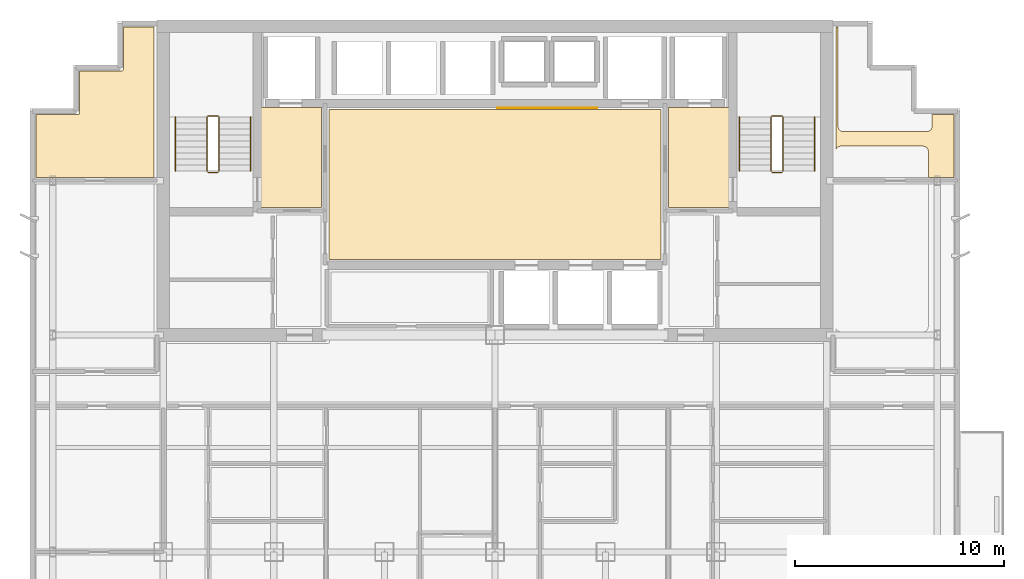
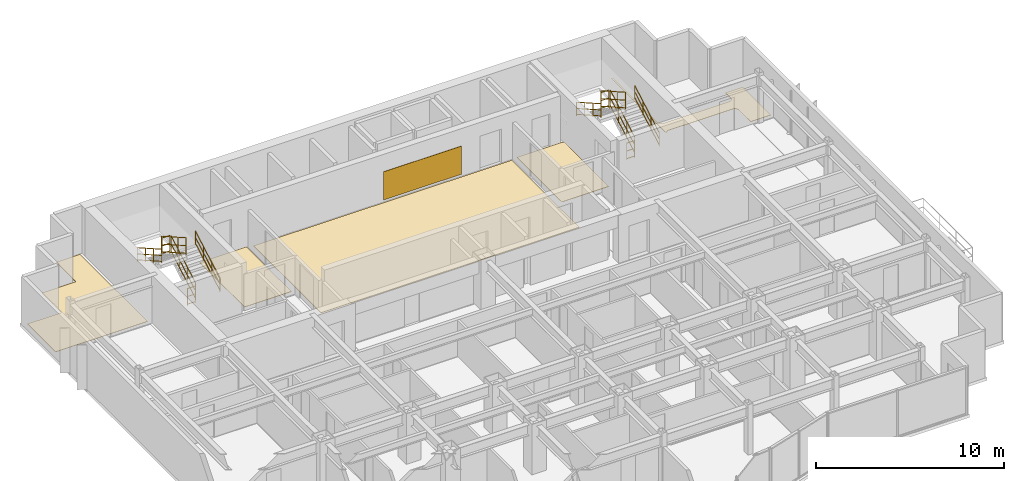
# One storey, part 11 of 11: 12 railings, 6 coverings.
"""IFC4 building model written with IfcOpenShell, lengths in metres."""

from ifc_helpers import new_model, si_unit, direction, frame, origin, origin_2d, place, context, subcontext, project, spatial, polyline, circle, outline, extrude, material, layer, layer_set, type_object, element, save


model = new_model("IFC4")

# Units and contexts
model_context = context("Model", 3, precision=1e-05, world=origin(), true_north=direction((0.0, 1.0)))
body_context = subcontext(model_context, "Body", "Model", "MODEL_VIEW")
ifc_project = project(units=[si_unit("LENGTHUNIT", "METRE"), si_unit("AREAUNIT", "SQUARE_METRE"), si_unit("VOLUMEUNIT", "CUBIC_METRE"), si_unit("PLANEANGLEUNIT", "RADIAN"), si_unit("MASSUNIT", "GRAM", prefix="KILO")], contexts=[model_context])

# Site, building, storey
site_placement = place(None, origin())
site = spatial("IfcSite", under=ifc_project, at=site_placement, CompositionType="ELEMENT")
building_placement = place(site_placement, origin())
building = spatial("IfcBuilding", under=site, at=building_placement, Name="Qianlan Lanfeng Residences", CompositionType="ELEMENT")
storey_placement = place(building_placement, frame((0.0, 0.0, 149.10009765625)))
storey = spatial("IfcBuildingStorey", under=building, at=storey_placement, Name="L40", CompositionType="ELEMENT", Elevation=149.10009765625)

# Coverings
ifc_material_1 = material(Name="Anodised Bronze Feature Wall Cladding")
ifc_layer_1 = layer(ifc_material_1, 0.02490234375)
ifc_layer_set_1 = layer_set([ifc_layer_1], Name="Anodised Bronze Feature Wall Cladding")
covering_type_1 = type_object("IfcCoveringType", Name="CLD-BRZ-25", PredefinedType="CLADDING", material=ifc_layer_set_1)
covering_1_placement = place(storey_placement, frame((0.0, 0.0, 0.14990234375)))
element("IfcCovering", 1, at=covering_1_placement, inside=storey, type_object=covering_type_1, Name="L40 Lift Lobby Bronze Feature Cladding", PredefinedType="CLADDING", context=body_context, shape_type="SweptSolid", body=[
    extrude(outline(polyline([(26.60009765625, 36.074951171875), (31.39990234375, 36.074951171875), (31.39990234375, 36.10009765625), (26.60009765625, 36.10009765625), (26.60009765625, 36.074951171875)])), origin(), (0.0, 0.0, 1.0), 1.830078125),
])
ifc_material_2 = material(Name="Honed Taitung Granite Stone Flooring", Category="masonry")
ifc_layer_2 = layer(ifc_material_2, 0.030029296875)
ifc_layer_set_2 = layer_set([ifc_layer_2], Name="Honed Taitung Granite Stone Flooring")
covering_type_2 = type_object("IfcCoveringType", Name="FLR-STN-30", PredefinedType="FLOORING", material=ifc_layer_set_2)
covering_2_placement = place(storey_placement, origin())
element("IfcCovering", 2, at=covering_2_placement, inside=storey, type_object=covering_type_2, Name="L40 Firefighting Lift Lobby Floor Finish", PredefinedType="FLOORING", context=body_context, shape_type="SweptSolid", body=[
    extrude(outline(polyline([(15.2900390625, 31.320068359375), (18.179931640625, 31.320068359375), (18.179931640625, 36.110107421875), (15.2900390625, 36.110107421875), (15.2900390625, 31.320068359375)])), origin(), (0.0, 0.0, 1.0), 0.02978515625),
])
covering_3_placement = place(storey_placement, origin())
element("IfcCovering", 3, at=covering_3_placement, inside=storey, type_object=covering_type_2, Name="L40 Firefighting Lift Lobby Floor Finish", PredefinedType="FLOORING", context=body_context, shape_type="SweptSolid", body=[
    extrude(outline(polyline([(34.820068359375, 31.320068359375), (37.7099609375, 31.320068359375), (37.7099609375, 36.110107421875), (34.820068359375, 36.110107421875), (34.820068359375, 31.320068359375)])), origin(), (0.0, 0.0, 1.0), 0.02978515625),
])
covering_4_placement = place(storey_placement, origin())
element("IfcCovering", 4, at=covering_4_placement, inside=storey, type_object=covering_type_2, Name="L40 Lift Lobby Floor Finish", PredefinedType="FLOORING", context=body_context, shape_type="SweptSolid", body=[
    extrude(outline(polyline([(18.550048828125, 28.820068359375), (34.449951171875, 28.820068359375), (34.449951171875, 36.010009765625), (18.550048828125, 36.010009765625), (18.550048828125, 28.820068359375)])), origin(), (0.0, 0.0, 1.0), 0.02978515625),
])
ifc_material_3 = material(Name="Engineered Smoked Oak Timber Flooring", Category="wood")
ifc_layer_3 = layer(ifc_material_3, 0.02197265625)
ifc_layer_set_3 = layer_set([ifc_layer_3], Name="Engineered Smoked Oak Timber Flooring")
covering_type_3 = type_object("IfcCoveringType", Name="FLR-TIM-22", PredefinedType="FLOORING", material=ifc_layer_set_3)
covering_5_placement = place(storey_placement, origin())
element("IfcCovering", 5, at=covering_5_placement, inside=storey, type_object=covering_type_3, Name="L40 Resident Lounge Floor Finish", PredefinedType="FLOORING", context=body_context, shape_type="SweptSolid", body=[
    extrude(outline(polyline([(4.489990234375, 32.75), (10.14990234375, 32.75), (10.14990234375, 39.9599609375), (8.68994140625, 39.9599609375), (8.68994140625, 37.929931640625), (8.68994140625, 37.923095703125), (8.68896484375, 37.916015625), (8.68701171875, 37.909912109375), (8.68505859375, 37.903076171875), (8.681884765625, 37.89697265625), (8.677978515625, 37.89111328125), (8.674072265625, 37.885986328125), (8.6689453125, 37.881103515625), (8.6640625, 37.8759765625), (8.658935546875, 37.8720703125), (8.653076171875, 37.867919921875), (8.64697265625, 37.864990234375), (8.639892578125, 37.863037109375), (8.634033203125, 37.861083984375), (8.626953125, 37.860107421875), (8.6201171875, 37.860107421875), (6.590087890625, 37.860107421875), (6.590087890625, 35.830078125), (6.590087890625, 35.822998046875), (6.589111328125, 35.81591796875), (6.5869140625, 35.81005859375), (6.5849609375, 35.802978515625), (6.58203125, 35.797119140625), (6.577880859375, 35.791015625), (6.573974609375, 35.785888671875), (6.569091796875, 35.781005859375), (6.56396484375, 35.77587890625), (6.55908203125, 35.77197265625), (6.552978515625, 35.76806640625), (6.547119140625, 35.764892578125), (6.5400390625, 35.762939453125), (6.533935546875, 35.760986328125), (6.527099609375, 35.760009765625), (6.52001953125, 35.760009765625), (4.489990234375, 35.760009765625), (4.489990234375, 32.75)])), origin(), (0.0, 0.0, 1.0), 0.02197265625),
])
covering_6_placement = place(storey_placement, origin())
element("IfcCovering", 6, at=covering_6_placement, inside=storey, type_object=covering_type_3, Name="L40 Resident Lounge Floor Finish", PredefinedType="FLOORING", context=body_context, shape_type="SweptSolid", body=[
    extrude(outline(polyline([(42.85009765625, 34.097900390625), (42.860107421875, 34.117919921875), (42.8720703125, 34.138916015625), (42.886962890625, 34.158935546875), (42.903076171875, 34.177001953125), (42.9208984375, 34.193115234375), (42.94091796875, 34.2080078125), (42.9619140625, 34.219970703125), (42.98388671875, 34.23095703125), (43.007080078125, 34.239013671875), (43.031005859375, 34.2451171875), (43.054931640625, 34.2490234375), (43.080078125, 34.25), (47.02001953125, 34.25), (47.044921875, 34.2490234375), (47.069091796875, 34.2451171875), (47.093017578125, 34.239013671875), (47.115966796875, 34.23095703125), (47.137939453125, 34.219970703125), (47.158935546875, 34.2080078125), (47.178955078125, 34.193115234375), (47.197021484375, 34.177001953125), (47.212890625, 34.158935546875), (47.22802734375, 34.138916015625), (47.239990234375, 34.117919921875), (47.2509765625, 34.095947265625), (47.259033203125, 34.072998046875), (47.264892578125, 34.049072265625), (47.26904296875, 34.02490234375), (47.27001953125, 34.0), (47.27001953125, 32.75), (48.510009765625, 32.75), (48.510009765625, 35.760009765625), (47.449951171875, 35.760009765625), (47.449951171875, 35.199951171875), (47.448974609375, 35.175048828125), (47.445068359375, 35.15087890625), (47.43896484375, 35.126953125), (47.430908203125, 35.10400390625), (47.419921875, 35.08203125), (47.407958984375, 35.06103515625), (47.39306640625, 35.041015625), (47.376953125, 35.02294921875), (47.35888671875, 35.007080078125), (47.339111328125, 34.991943359375), (47.318115234375, 34.97998046875), (47.2958984375, 34.968994140625), (47.27294921875, 34.9609375), (47.2490234375, 34.955078125), (47.22509765625, 34.950927734375), (47.199951171875, 34.949951171875), (43.199951171875, 34.949951171875), (43.175048828125, 34.950927734375), (43.15087890625, 34.955078125), (43.126953125, 34.9609375), (43.10400390625, 34.968994140625), (43.08203125, 34.97998046875), (43.06103515625, 34.991943359375), (43.041015625, 35.007080078125), (43.02294921875, 35.02294921875), (43.007080078125, 35.041015625), (42.991943359375, 35.06103515625), (42.97998046875, 35.08203125), (42.968994140625, 35.10400390625), (42.9609375, 35.126953125), (42.955078125, 35.15087890625), (42.950927734375, 35.175048828125), (42.949951171875, 35.199951171875), (42.949951171875, 39.9599609375), (42.85009765625, 39.9599609375), (42.85009765625, 34.097900390625)])), origin(), (0.0, 0.0, 1.0), 0.02197265625),
])

# Railings
ifc_material_4 = material(Name="Painted Galvanised Steel Guardrail", Category="steel")
railing_type_1 = type_object("IfcRailingType", Name="GR-ST-1120", PredefinedType="GUARDRAIL", material=ifc_material_4)
railing_1_placement = place(storey_placement, frame((13.27001953125, 33.050048828125, 0.164794921875)))
element("IfcRailing", 7, at=railing_1_placement, inside=storey, type_object=railing_type_1, Name="L40 ST-1 stair guard 1", PredefinedType="GUARDRAIL", context=body_context, shape_type="SweptSolid", body=[
    extrude(circle(Radius=0.02392578125, at=origin_2d()), frame((0.0, 0.0, 0.083984375), z_axis=(0.0, 0.869137319866, 0.494570843475), x_axis=(-1.0, 0.0, 0.0)), (0.0, 0.0, 1.0), 3.0029296875),
    extrude(circle(Radius=0.02392578125, at=origin_2d()), frame((0.0, 0.0, 0.58251953125), z_axis=(0.0, 0.869137319866, 0.494570843475), x_axis=(-1.0, 0.0, 0.0)), (0.0, 0.0, 1.0), 3.0029296875),
    extrude(circle(Radius=0.02392578125, at=origin_2d()), frame((0.0, 0.0, 1.09619140625), z_axis=(0.0, 0.869137319866, 0.494570843475), x_axis=(-1.0, 0.0, 0.0)), (0.0, 0.0, 1.0), 3.0029296875),
    extrude(circle(Radius=0.02099609375, at=origin_2d()), origin(), (0.0, 0.0, 1.0), 1.072021484375),
    extrude(circle(Radius=0.02099609375, at=origin_2d()), frame((0.0, 0.869873046875, 0.4951171875)), (0.0, 0.0, 1.0), 1.072021484375),
    extrude(circle(Radius=0.02099609375, at=origin_2d()), frame((0.0, 1.739990234375, 0.989990234375)), (0.0, 0.0, 1.0), 1.072021484375),
    extrude(circle(Radius=0.02099609375, at=origin_2d()), frame((0.0, 2.60986328125, 1.485107421875)), (0.0, 0.0, 1.0), 1.072021484375),
])
railing_2_placement = place(storey_placement, frame((13.219970703125, 35.7099609375, 1.64990234375)))
element("IfcRailing", 8, at=railing_2_placement, inside=storey, type_object=railing_type_1, Name="L40 ST-1 stair guard 2", PredefinedType="GUARDRAIL", context=body_context, shape_type="SweptSolid", body=[
    extrude(circle(Radius=0.02392578125, at=origin_2d()), frame((0.0, 0.0, 0.083984375), z_axis=(-1.0, 0.0, 0.0), x_axis=(0.0, -1.0, 0.0)), (0.0, 0.0, 1.0), 0.47998046875),
    extrude(circle(Radius=0.02392578125, at=origin_2d()), frame((0.0, 0.0, 0.58251953125), z_axis=(-1.0, 0.0, 0.0), x_axis=(0.0, -1.0, 0.0)), (0.0, 0.0, 1.0), 0.47998046875),
    extrude(circle(Radius=0.02392578125, at=origin_2d()), frame((0.0, 0.0, 1.09619140625), z_axis=(-1.0, 0.0, 0.0), x_axis=(0.0, -1.0, 0.0)), (0.0, 0.0, 1.0), 0.47998046875),
    extrude(circle(Radius=0.02099609375, at=origin_2d()), origin(), (0.0, 0.0, 1.0), 1.072021484375),
    extrude(circle(Radius=0.02099609375, at=origin_2d()), frame((-0.47998046875, 0.0, 0.0)), (0.0, 0.0, 1.0), 1.072021484375),
])
railing_3_placement = place(storey_placement, frame((12.68994140625, 35.659912109375, 1.81494140625)))
element("IfcRailing", 9, at=railing_3_placement, inside=storey, type_object=railing_type_1, Name="L40 ST-1 stair guard 3", PredefinedType="GUARDRAIL", context=body_context, shape_type="SweptSolid", body=[
    extrude(circle(Radius=0.02392578125, at=origin_2d()), frame((0.0, 0.0, 0.083984375), z_axis=(0.0, -0.869172267526, 0.494509422927), x_axis=(1.0, 0.0, 0.0)), (0.0, 0.0, 1.0), 3.002685546875),
    extrude(circle(Radius=0.02392578125, at=origin_2d()), frame((0.0, 0.0, 0.58251953125), z_axis=(0.0, -0.869172267526, 0.494509422927), x_axis=(1.0, 0.0, 0.0)), (0.0, 0.0, 1.0), 3.002685546875),
    extrude(circle(Radius=0.02392578125, at=origin_2d()), frame((0.0, 0.0, 1.09619140625), z_axis=(0.0, -0.869172267526, 0.494509422927), x_axis=(1.0, 0.0, 0.0)), (0.0, 0.0, 1.0), 3.002685546875),
    extrude(circle(Radius=0.02099609375, at=origin_2d()), origin(), (0.0, 0.0, 1.0), 1.072021484375),
    extrude(circle(Radius=0.02099609375, at=origin_2d()), frame((0.0, -0.869873046875, 0.494873046875)), (0.0, 0.0, 1.0), 1.072021484375),
    extrude(circle(Radius=0.02099609375, at=origin_2d()), frame((0.0, -1.739990234375, 0.989990234375)), (0.0, 0.0, 1.0), 1.072021484375),
    extrude(circle(Radius=0.02099609375, at=origin_2d()), frame((0.0, -2.60986328125, 1.48486328125)), (0.0, 0.0, 1.0), 1.072021484375),
])
railing_4_placement = place(storey_placement, frame((13.219970703125, 33.0, 0.0)))
element("IfcRailing", 10, at=railing_4_placement, inside=storey, type_object=railing_type_1, Name="L40 ST-1 stair guard 4", PredefinedType="GUARDRAIL", context=body_context, shape_type="SweptSolid", body=[
    extrude(circle(Radius=0.02392578125, at=origin_2d()), frame((0.0, 0.0, 0.083984375), z_axis=(-1.0, 0.0, 0.0), x_axis=(0.0, -1.0, 0.0)), (0.0, 0.0, 1.0), 0.47998046875),
    extrude(circle(Radius=0.02392578125, at=origin_2d()), frame((0.0, 0.0, 0.58251953125), z_axis=(-1.0, 0.0, 0.0), x_axis=(0.0, -1.0, 0.0)), (0.0, 0.0, 1.0), 0.47998046875),
    extrude(circle(Radius=0.02392578125, at=origin_2d()), frame((0.0, 0.0, 1.09619140625), z_axis=(-1.0, 0.0, 0.0), x_axis=(0.0, -1.0, 0.0)), (0.0, 0.0, 1.0), 0.47998046875),
    extrude(circle(Radius=0.02099609375, at=origin_2d()), origin(), (0.0, 0.0, 1.0), 1.072021484375),
    extrude(circle(Radius=0.02099609375, at=origin_2d()), frame((-0.47998046875, 0.0, 0.0)), (0.0, 0.0, 1.0), 1.072021484375),
])
railing_5_placement = place(storey_placement, frame((40.31005859375, 33.050048828125, 0.164794921875)))
element("IfcRailing", 11, at=railing_5_placement, inside=storey, type_object=railing_type_1, Name="L40 ST-2 stair guard 1", PredefinedType="GUARDRAIL", context=body_context, shape_type="SweptSolid", body=[
    extrude(circle(Radius=0.02392578125, at=origin_2d()), frame((0.0, 0.0, 0.083984375), z_axis=(0.0, 0.869137319866, 0.494570843475), x_axis=(-1.0, 0.0, 0.0)), (0.0, 0.0, 1.0), 3.0029296875),
    extrude(circle(Radius=0.02392578125, at=origin_2d()), frame((0.0, 0.0, 0.58251953125), z_axis=(0.0, 0.869137319866, 0.494570843475), x_axis=(-1.0, 0.0, 0.0)), (0.0, 0.0, 1.0), 3.0029296875),
    extrude(circle(Radius=0.02392578125, at=origin_2d()), frame((0.0, 0.0, 1.09619140625), z_axis=(0.0, 0.869137319866, 0.494570843475), x_axis=(-1.0, 0.0, 0.0)), (0.0, 0.0, 1.0), 3.0029296875),
    extrude(circle(Radius=0.02099609375, at=origin_2d()), origin(), (0.0, 0.0, 1.0), 1.072021484375),
    extrude(circle(Radius=0.02099609375, at=origin_2d()), frame((0.0, 0.869873046875, 0.4951171875)), (0.0, 0.0, 1.0), 1.072021484375),
    extrude(circle(Radius=0.02099609375, at=origin_2d()), frame((0.0, 1.739990234375, 0.989990234375)), (0.0, 0.0, 1.0), 1.072021484375),
    extrude(circle(Radius=0.02099609375, at=origin_2d()), frame((0.0, 2.60986328125, 1.485107421875)), (0.0, 0.0, 1.0), 1.072021484375),
])
railing_6_placement = place(storey_placement, frame((40.260009765625, 35.7099609375, 1.64990234375)))
element("IfcRailing", 12, at=railing_6_placement, inside=storey, type_object=railing_type_1, Name="L40 ST-2 stair guard 2", PredefinedType="GUARDRAIL", context=body_context, shape_type="SweptSolid", body=[
    extrude(circle(Radius=0.02392578125, at=origin_2d()), frame((0.0, 0.0, 0.083984375), z_axis=(-1.0, 0.0, 0.0), x_axis=(0.0, -1.0, 0.0)), (0.0, 0.0, 1.0), 0.47998046875),
    extrude(circle(Radius=0.02392578125, at=origin_2d()), frame((0.0, 0.0, 0.58251953125), z_axis=(-1.0, 0.0, 0.0), x_axis=(0.0, -1.0, 0.0)), (0.0, 0.0, 1.0), 0.47998046875),
    extrude(circle(Radius=0.02392578125, at=origin_2d()), frame((0.0, 0.0, 1.09619140625), z_axis=(-1.0, 0.0, 0.0), x_axis=(0.0, -1.0, 0.0)), (0.0, 0.0, 1.0), 0.47998046875),
    extrude(circle(Radius=0.02099609375, at=origin_2d()), origin(), (0.0, 0.0, 1.0), 1.072021484375),
    extrude(circle(Radius=0.02099609375, at=origin_2d()), frame((-0.47998046875, 0.0, 0.0)), (0.0, 0.0, 1.0), 1.072021484375),
])
railing_7_placement = place(storey_placement, frame((39.72998046875, 35.659912109375, 1.81494140625)))
element("IfcRailing", 13, at=railing_7_placement, inside=storey, type_object=railing_type_1, Name="L40 ST-2 stair guard 3", PredefinedType="GUARDRAIL", context=body_context, shape_type="SweptSolid", body=[
    extrude(circle(Radius=0.02392578125, at=origin_2d()), frame((0.0, 0.0, 0.083984375), z_axis=(0.0, -0.869172267526, 0.494509422927), x_axis=(1.0, 0.0, 0.0)), (0.0, 0.0, 1.0), 3.002685546875),
    extrude(circle(Radius=0.02392578125, at=origin_2d()), frame((0.0, 0.0, 0.58251953125), z_axis=(0.0, -0.869172267526, 0.494509422927), x_axis=(1.0, 0.0, 0.0)), (0.0, 0.0, 1.0), 3.002685546875),
    extrude(circle(Radius=0.02392578125, at=origin_2d()), frame((0.0, 0.0, 1.09619140625), z_axis=(0.0, -0.869172267526, 0.494509422927), x_axis=(1.0, 0.0, 0.0)), (0.0, 0.0, 1.0), 3.002685546875),
    extrude(circle(Radius=0.02099609375, at=origin_2d()), origin(), (0.0, 0.0, 1.0), 1.072021484375),
    extrude(circle(Radius=0.02099609375, at=origin_2d()), frame((0.0, -0.869873046875, 0.494873046875)), (0.0, 0.0, 1.0), 1.072021484375),
    extrude(circle(Radius=0.02099609375, at=origin_2d()), frame((0.0, -1.739990234375, 0.989990234375)), (0.0, 0.0, 1.0), 1.072021484375),
    extrude(circle(Radius=0.02099609375, at=origin_2d()), frame((0.0, -2.60986328125, 1.48486328125)), (0.0, 0.0, 1.0), 1.072021484375),
])
railing_8_placement = place(storey_placement, frame((40.260009765625, 33.0, 0.0)))
element("IfcRailing", 14, at=railing_8_placement, inside=storey, type_object=railing_type_1, Name="L40 ST-2 stair guard 4", PredefinedType="GUARDRAIL", context=body_context, shape_type="SweptSolid", body=[
    extrude(circle(Radius=0.02392578125, at=origin_2d()), frame((0.0, 0.0, 0.083984375), z_axis=(-1.0, 0.0, 0.0), x_axis=(0.0, -1.0, 0.0)), (0.0, 0.0, 1.0), 0.47998046875),
    extrude(circle(Radius=0.02392578125, at=origin_2d()), frame((0.0, 0.0, 0.58251953125), z_axis=(-1.0, 0.0, 0.0), x_axis=(0.0, -1.0, 0.0)), (0.0, 0.0, 1.0), 0.47998046875),
    extrude(circle(Radius=0.02392578125, at=origin_2d()), frame((0.0, 0.0, 1.09619140625), z_axis=(-1.0, 0.0, 0.0), x_axis=(0.0, -1.0, 0.0)), (0.0, 0.0, 1.0), 0.47998046875),
    extrude(circle(Radius=0.02099609375, at=origin_2d()), origin(), (0.0, 0.0, 1.0), 1.072021484375),
    extrude(circle(Radius=0.02099609375, at=origin_2d()), frame((-0.47998046875, 0.0, 0.0)), (0.0, 0.0, 1.0), 1.072021484375),
])
ifc_material_5 = material(Name="Brushed Stainless Steel Handrail", Category="steel")
railing_type_2 = type_object("IfcRailingType", Name="HR-ST-920", PredefinedType="HANDRAIL", material=ifc_material_5)
railing_9_placement = place(storey_placement, frame((14.77001953125, 33.050048828125, 0.164794921875)))
element("IfcRailing", 15, at=railing_9_placement, inside=storey, type_object=railing_type_2, Name="L40 ST-1 stair handrail 1", PredefinedType="HANDRAIL", context=body_context, shape_type="SweptSolid", body=[
    extrude(circle(Radius=0.02392578125, at=origin_2d()), frame((0.0, 0.0, 0.083984375), z_axis=(0.0, 0.869137319866, 0.494570843475), x_axis=(-1.0, 0.0, 0.0)), (0.0, 0.0, 1.0), 3.0029296875),
    extrude(circle(Radius=0.02392578125, at=origin_2d()), frame((0.0, 0.0, 0.468017578125), z_axis=(0.0, 0.869137319866, 0.494570843475), x_axis=(-1.0, 0.0, 0.0)), (0.0, 0.0, 1.0), 3.0029296875),
    extrude(circle(Radius=0.02392578125, at=origin_2d()), frame((0.0, 0.0, 0.8759765625), z_axis=(0.0, 0.869137319866, 0.494570843475), x_axis=(-1.0, 0.0, 0.0)), (0.0, 0.0, 1.0), 3.0029296875),
    extrude(circle(Radius=0.02099609375, at=origin_2d()), origin(), (0.0, 0.0, 1.0), 0.851806640625),
    extrude(circle(Radius=0.02099609375, at=origin_2d()), frame((0.0, 0.869873046875, 0.4951171875)), (0.0, 0.0, 1.0), 0.851806640625),
    extrude(circle(Radius=0.02099609375, at=origin_2d()), frame((0.0, 1.739990234375, 0.989990234375)), (0.0, 0.0, 1.0), 0.851806640625),
    extrude(circle(Radius=0.02099609375, at=origin_2d()), frame((0.0, 2.60986328125, 1.485107421875)), (0.0, 0.0, 1.0), 0.851806640625),
])
railing_10_placement = place(storey_placement, frame((11.18994140625, 35.659912109375, 1.81494140625)))
element("IfcRailing", 16, at=railing_10_placement, inside=storey, type_object=railing_type_2, Name="L40 ST-1 stair handrail 2", PredefinedType="HANDRAIL", context=body_context, shape_type="SweptSolid", body=[
    extrude(circle(Radius=0.02392578125, at=origin_2d()), frame((0.0, 0.0, 0.083984375), z_axis=(0.0, -0.869172267526, 0.494509422927), x_axis=(1.0, 0.0, 0.0)), (0.0, 0.0, 1.0), 3.002685546875),
    extrude(circle(Radius=0.02392578125, at=origin_2d()), frame((0.0, 0.0, 0.468017578125), z_axis=(0.0, -0.869172267526, 0.494509422927), x_axis=(1.0, 0.0, 0.0)), (0.0, 0.0, 1.0), 3.002685546875),
    extrude(circle(Radius=0.02392578125, at=origin_2d()), frame((0.0, 0.0, 0.8759765625), z_axis=(0.0, -0.869172267526, 0.494509422927), x_axis=(1.0, 0.0, 0.0)), (0.0, 0.0, 1.0), 3.002685546875),
    extrude(circle(Radius=0.02099609375, at=origin_2d()), origin(), (0.0, 0.0, 1.0), 0.851806640625),
    extrude(circle(Radius=0.02099609375, at=origin_2d()), frame((0.0, -0.869873046875, 0.494873046875)), (0.0, 0.0, 1.0), 0.851806640625),
    extrude(circle(Radius=0.02099609375, at=origin_2d()), frame((0.0, -1.739990234375, 0.989990234375)), (0.0, 0.0, 1.0), 0.851806640625),
    extrude(circle(Radius=0.02099609375, at=origin_2d()), frame((0.0, -2.60986328125, 1.48486328125)), (0.0, 0.0, 1.0), 0.851806640625),
])
railing_11_placement = place(storey_placement, frame((41.81005859375, 33.050048828125, 0.164794921875)))
element("IfcRailing", 17, at=railing_11_placement, inside=storey, type_object=railing_type_2, Name="L40 ST-2 stair handrail 1", PredefinedType="HANDRAIL", context=body_context, shape_type="SweptSolid", body=[
    extrude(circle(Radius=0.02392578125, at=origin_2d()), frame((0.0, 0.0, 0.083984375), z_axis=(0.0, 0.869137319866, 0.494570843475), x_axis=(-1.0, 0.0, 0.0)), (0.0, 0.0, 1.0), 3.0029296875),
    extrude(circle(Radius=0.02392578125, at=origin_2d()), frame((0.0, 0.0, 0.468017578125), z_axis=(0.0, 0.869137319866, 0.494570843475), x_axis=(-1.0, 0.0, 0.0)), (0.0, 0.0, 1.0), 3.0029296875),
    extrude(circle(Radius=0.02392578125, at=origin_2d()), frame((0.0, 0.0, 0.8759765625), z_axis=(0.0, 0.869137319866, 0.494570843475), x_axis=(-1.0, 0.0, 0.0)), (0.0, 0.0, 1.0), 3.0029296875),
    extrude(circle(Radius=0.02099609375, at=origin_2d()), origin(), (0.0, 0.0, 1.0), 0.851806640625),
    extrude(circle(Radius=0.02099609375, at=origin_2d()), frame((0.0, 0.869873046875, 0.4951171875)), (0.0, 0.0, 1.0), 0.851806640625),
    extrude(circle(Radius=0.02099609375, at=origin_2d()), frame((0.0, 1.739990234375, 0.989990234375)), (0.0, 0.0, 1.0), 0.851806640625),
    extrude(circle(Radius=0.02099609375, at=origin_2d()), frame((0.0, 2.60986328125, 1.485107421875)), (0.0, 0.0, 1.0), 0.851806640625),
])
railing_12_placement = place(storey_placement, frame((38.22998046875, 35.659912109375, 1.81494140625)))
element("IfcRailing", 18, at=railing_12_placement, inside=storey, type_object=railing_type_2, Name="L40 ST-2 stair handrail 2", PredefinedType="HANDRAIL", context=body_context, shape_type="SweptSolid", body=[
    extrude(circle(Radius=0.02392578125, at=origin_2d()), frame((0.0, 0.0, 0.083984375), z_axis=(0.0, -0.869172267526, 0.494509422927), x_axis=(1.0, 0.0, 0.0)), (0.0, 0.0, 1.0), 3.002685546875),
    extrude(circle(Radius=0.02392578125, at=origin_2d()), frame((0.0, 0.0, 0.468017578125), z_axis=(0.0, -0.869172267526, 0.494509422927), x_axis=(1.0, 0.0, 0.0)), (0.0, 0.0, 1.0), 3.002685546875),
    extrude(circle(Radius=0.02392578125, at=origin_2d()), frame((0.0, 0.0, 0.8759765625), z_axis=(0.0, -0.869172267526, 0.494509422927), x_axis=(1.0, 0.0, 0.0)), (0.0, 0.0, 1.0), 3.002685546875),
    extrude(circle(Radius=0.02099609375, at=origin_2d()), origin(), (0.0, 0.0, 1.0), 0.851806640625),
    extrude(circle(Radius=0.02099609375, at=origin_2d()), frame((0.0, -0.869873046875, 0.494873046875)), (0.0, 0.0, 1.0), 0.851806640625),
    extrude(circle(Radius=0.02099609375, at=origin_2d()), frame((0.0, -1.739990234375, 0.989990234375)), (0.0, 0.0, 1.0), 0.851806640625),
    extrude(circle(Radius=0.02099609375, at=origin_2d()), frame((0.0, -2.60986328125, 1.48486328125)), (0.0, 0.0, 1.0), 0.851806640625),
])

save(model, "model.ifc")
